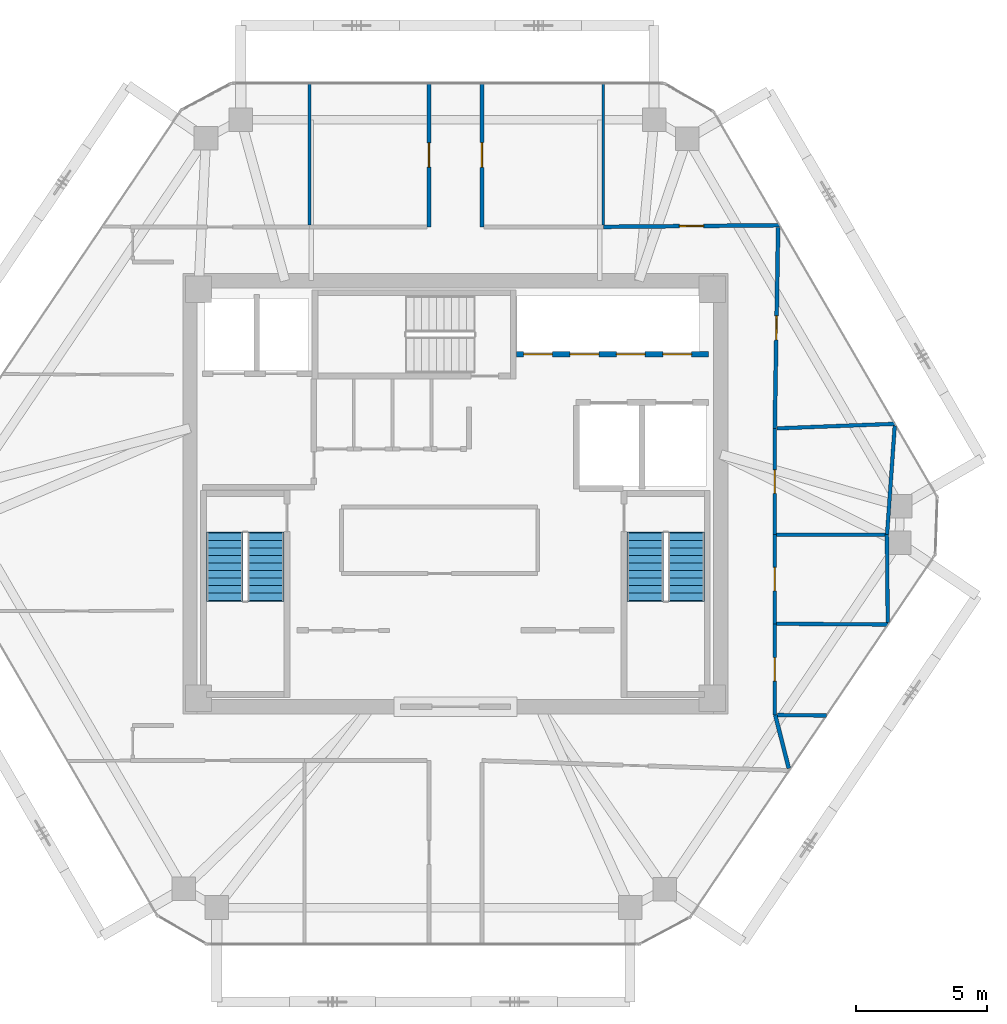
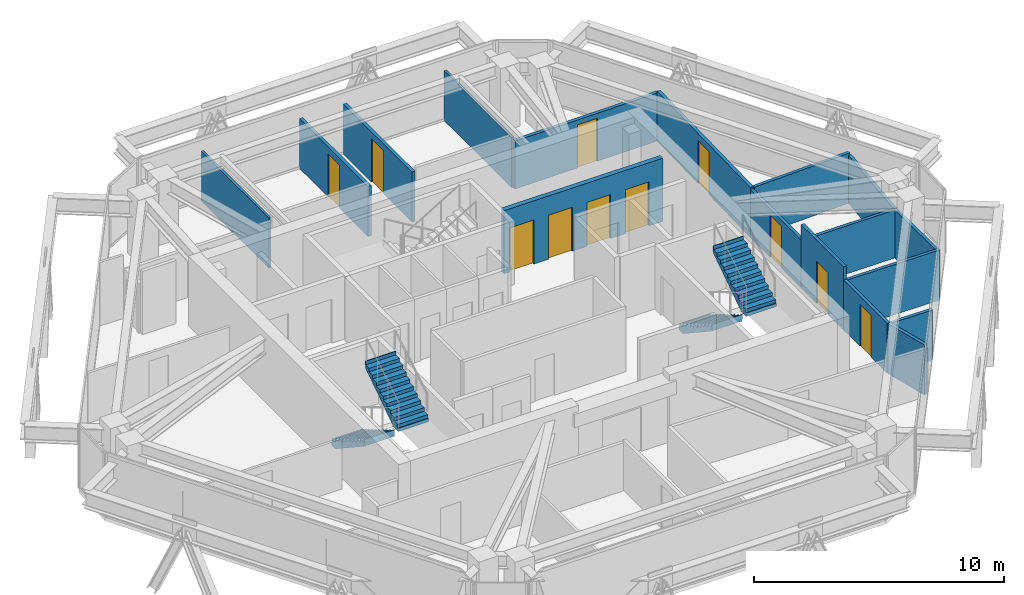
# One storey, part 12 of 14: 17 walls, 11 doors, 4 stair flights, 11 openings, 2 elements without a shape of their own.
"""IFC4 building model written with IfcOpenShell, lengths in metres."""

from ifc_helpers import new_model, si_unit, direction, frame, frame_2d, origin, place, context, subcontext, project, spatial, polyline, rectangle, outline, extrude, source, transform, mapped, material, layer, layer_set, type_object, type_shapes, element, fill, aggregate, save


model = new_model("IFC4")

# Units and contexts
model_context = context("Model", 3, precision=1e-05, world=origin(), true_north=direction((0.0, 1.0)))
body_context = subcontext(model_context, "Body", "Model", "MODEL_VIEW")
ifc_project = project(units=[si_unit("LENGTHUNIT", "METRE"), si_unit("AREAUNIT", "SQUARE_METRE"), si_unit("VOLUMEUNIT", "CUBIC_METRE"), si_unit("PLANEANGLEUNIT", "RADIAN"), si_unit("MASSUNIT", "GRAM", prefix="KILO")], contexts=[model_context])

# Site, building, storey
site_placement = place(None, origin())
site = spatial("IfcSite", under=ifc_project, at=site_placement, CompositionType="ELEMENT")
building_placement = place(site_placement, origin())
building = spatial("IfcBuilding", under=site, at=building_placement, Name="Durnholm Broadcast Tower", CompositionType="ELEMENT")
storey_placement = place(building_placement, frame((0.0, 0.0, 261.5)))
storey = spatial("IfcBuildingStorey", under=building, at=storey_placement, Name="L73", CompositionType="ELEMENT", Elevation=261.5)

# Walls
ifc_material_1 = material(Name="Operable Acoustic Panel Partition", Category="aluminium")
ifc_layer_1 = layer(ifc_material_1, 0.110107421875)
ifc_layer_set_1 = layer_set([ifc_layer_1], Name="Operable Acoustic Panel Partition")
wall_type_1 = type_object("IfcWallType", Name="WALL-MOV-110", PredefinedType="MOVABLE", material=ifc_layer_set_1)
wall_1_placement = place(storey_placement, frame((-5.56005859375, 15.662109375, 0.0), z_axis=(0.0, 0.0, 1.0), x_axis=(0.0, -1.0, 0.0)))
element("IfcWall", 1, at=wall_1_placement, inside=storey, type_object=wall_type_1, Name="L73 room dividing partition 12.13", PredefinedType="MOVABLE", context=body_context, shape_type="SweptSolid", body=[
    extrude(rectangle(XDim=5.403076171875, YDim=0.110107421875, at=frame_2d((2.70166015625, 0.0))), origin(), (0.0, 0.0, 1.0), 2.438720703125),
])
wall_2_placement = place(storey_placement, frame((5.639892578125, 15.662109375, 0.0), z_axis=(0.0, 0.0, 1.0), x_axis=(0.0, -1.0, 0.0)))
element("IfcWall", 2, at=wall_2_placement, inside=storey, type_object=wall_type_1, Name="L73 room dividing partition 14.15", PredefinedType="MOVABLE", context=body_context, shape_type="SweptSolid", body=[
    extrude(rectangle(XDim=5.40234375, YDim=0.110107421875, at=frame_2d((2.701171875, 0.0))), origin(), (0.0, 0.0, 1.0), 2.438720703125),
])

# Wall, opening, door
ifc_material_2 = material(Name="Acoustic Gypsum Stud Partition", Category="concrete")
ifc_layer_2 = layer(ifc_material_2, 0.14990234375)
ifc_layer_set_2 = layer_set([ifc_layer_2], Name="Acoustic Gypsum Stud Partition")
wall_type_2 = type_object("IfcWallType", Name="WALL-PART-150", PredefinedType="PARTITIONING", material=ifc_layer_set_2)
wall_3_placement = place(storey_placement, frame((-1.010009765625, 15.662109375, 0.0), z_axis=(0.0, 0.0, 1.0), x_axis=(0.0, -1.0, 0.0)))
wall_3 = element("IfcWall", 3, at=wall_3_placement, inside=storey, type_object=wall_type_2, Name="L73 CEO Broadcast Lounge corridor partition", PredefinedType="PARTITIONING", context=body_context, shape_type="SweptSolid", body=[
    extrude(rectangle(XDim=5.482177734375, YDim=0.14990234375, at=frame_2d((2.7412109375, 0.0))), origin(), (0.0, 0.0, 1.0), 2.438720703125),
])
opening_1_placement = place(wall_3_placement, frame((2.281005859375, 0.0, 0.0)))
opening_1 = element("IfcOpeningElement", 4, at=opening_1_placement, cuts=wall_3, Name="Opening DR-92L", PredefinedType="OPENING", context=body_context, shape_type="SweptSolid", body=[
    extrude(rectangle(XDim=0.919921875, YDim=2.10009765625, at=frame_2d((0.4599609375, 1.050048828125))), frame((0.0, 0.0849609375, 0.0), z_axis=(0.0, -1.0, 0.0), x_axis=(1.0, 0.0, 0.0)), (0.0, 0.0, 1.0), 0.169921875),
])
ifc_material_3 = material(Name="Oak Veneer Office Door", Category="wood")
ifc_layer_3 = layer(ifc_material_3, 0.050048828125)
ifc_layer_set_3 = layer_set([ifc_layer_3], Name="Oak Veneer Office Door")
door_type_1 = type_object("IfcDoorType", Name="DOOR-RM-920L", OperationType="NOTDEFINED", PredefinedType="DOOR", material=ifc_layer_set_3)
shared_shape_1 = source(origin(), body_context, "Body", "SweptSolid", [
    extrude(rectangle(XDim=0.919921875, YDim=2.10009765625, at=frame_2d((0.4599609375, 1.050048828125))), frame((0.0, 0.02490234375, 0.0), z_axis=(0.0, -1.0, 0.0), x_axis=(1.0, 0.0, 0.0)), (0.0, 0.0, 1.0), 0.050048828125),
])
type_shapes(door_type_1, [shared_shape_1])
door_1_placement = place(opening_1_placement, origin())
door_1 = element("IfcDoor", 5, at=door_1_placement, inside=storey, type_object=door_type_1, Name="L73 CEO Broadcast Lounge entrance door", OperationType="SINGLE_SWING_LEFT", OverallHeight=2.10009765625, OverallWidth=0.919921875, PredefinedType="DOOR", context=body_context, shape_type="MappedRepresentation", body=[
    mapped(shared_shape_1, transform((0.0, 0.0, 0.0), x_axis=(1.0, 0.0, 0.0), y_axis=(0.0, 1.0, 0.0), z_axis=(0.0, 0.0, 1.0), scale=1.0)),
])
fill(opening_1, door_1)

wall_4_placement = place(storey_placement, frame((1.010009765625, 10.179931640625, 0.0), z_axis=(0.0, 0.0, 1.0), x_axis=(0.0, 1.0, 0.0)))
wall_4 = element("IfcWall", 6, at=wall_4_placement, inside=storey, type_object=wall_type_2, Name="L73 COO Editorial Dining Room corridor partition", PredefinedType="PARTITIONING", context=body_context, shape_type="SweptSolid", body=[
    extrude(rectangle(XDim=5.482177734375, YDim=0.14990234375, at=frame_2d((2.7412109375, 0.0))), origin(), (0.0, 0.0, 1.0), 2.438720703125),
])
opening_2_placement = place(wall_4_placement, frame((2.26611328125, 0.0, 0.0)))
opening_2 = element("IfcOpeningElement", 7, at=opening_2_placement, cuts=wall_4, Name="Opening DR-95R", PredefinedType="OPENING", context=body_context, shape_type="SweptSolid", body=[
    extrude(rectangle(XDim=0.949951171875, YDim=2.10009765625, at=frame_2d((0.47509765625, 1.050048828125))), frame((0.0, 0.0849609375, 0.0), z_axis=(0.0, -1.0, 0.0), x_axis=(1.0, 0.0, 0.0)), (0.0, 0.0, 1.0), 0.169921875),
])
ifc_material_4 = material(Name="Acoustic Oak Veneer Timber Door", Category="wood")
ifc_layer_4 = layer(ifc_material_4, 0.050048828125)
ifc_layer_set_4 = layer_set([ifc_layer_4], Name="Acoustic Oak Veneer Timber Door")
door_type_2 = type_object("IfcDoorType", Name="DOOR-RM-950R", OperationType="NOTDEFINED", PredefinedType="DOOR", material=ifc_layer_set_4)
shared_shape_2 = source(origin(), body_context, "Body", "SweptSolid", [
    extrude(rectangle(XDim=0.949951171875, YDim=2.10009765625, at=frame_2d((0.47509765625, 1.050048828125))), frame((0.0, 0.02490234375, 0.0), z_axis=(0.0, -1.0, 0.0), x_axis=(1.0, 0.0, 0.0)), (0.0, 0.0, 1.0), 0.050048828125),
])
type_shapes(door_type_2, [shared_shape_2])
door_2_placement = place(opening_2_placement, origin())
door_2 = element("IfcDoor", 8, at=door_2_placement, inside=storey, type_object=door_type_2, Name="L73 COO Editorial Dining Room entrance door", OperationType="SINGLE_SWING_RIGHT", OverallHeight=2.10009765625, OverallWidth=0.949951171875, PredefinedType="DOOR", context=body_context, shape_type="MappedRepresentation", body=[
    mapped(shared_shape_2, transform((0.0, 0.0, 0.0), x_axis=(1.0, 0.0, 0.0), y_axis=(0.0, 1.0, 0.0), z_axis=(0.0, 0.0, 1.0), scale=1.0)),
])
fill(opening_2, door_2)

wall_5_placement = place(storey_placement, frame((12.368408203125, 10.242919921875, 0.0), z_axis=(0.0, 0.0, 1.0), x_axis=(-0.999957198001, -0.009252143886, 0.0)))
wall_5 = element("IfcWall", 9, at=wall_5_placement, inside=storey, type_object=wall_type_2, Name="L73 Penthouse Press Concierge corridor partition", PredefinedType="PARTITIONING", context=body_context, shape_type="SweptSolid", body=[
    extrude(rectangle(XDim=6.728759765625, YDim=0.14990234375, at=frame_2d((3.3642578125, 0.0))), origin(), (0.0, 0.0, 1.0), 2.34130859375),
])
opening_3_placement = place(wall_5_placement, frame((2.904296875, 0.0, 0.0)))
opening_3 = element("IfcOpeningElement", 10, at=opening_3_placement, cuts=wall_5, Name="Opening DR-92L", PredefinedType="OPENING", context=body_context, shape_type="SweptSolid", body=[
    extrude(rectangle(XDim=0.919921875, YDim=2.10009765625, at=frame_2d((0.4599609375, 1.050048828125))), frame((0.0, 0.0849609375, 0.0), z_axis=(0.0, -1.0, 0.0), x_axis=(1.0, 0.0, 0.0)), (0.0, 0.0, 1.0), 0.169921875),
])
door_3_placement = place(opening_3_placement, origin())
door_3 = element("IfcDoor", 11, at=door_3_placement, inside=storey, type_object=door_type_1, Name="L73 Penthouse Press Concierge entrance door", OperationType="SINGLE_SWING_LEFT", OverallHeight=2.10009765625, OverallWidth=0.919921875, PredefinedType="DOOR", context=body_context, shape_type="MappedRepresentation", body=[
    mapped(shared_shape_1, transform((0.0, 0.0, 0.0), x_axis=(1.0, 0.0, 0.0), y_axis=(0.0, 1.0, 0.0), z_axis=(0.0, 0.0, 1.0), scale=1.0)),
])
fill(opening_3, door_3)

# Wall
wall_6_placement = place(storey_placement, frame((12.718505859375, -10.47802734375, 0.0), z_axis=(0.0, 0.0, 1.0), x_axis=(-0.246467162934, 0.969151142803, 0.0)))
element("IfcWall", 12, at=wall_6_placement, inside=storey, type_object=wall_type_2, Name="L73 Executive Butler Kitchen corridor partition", PredefinedType="PARTITIONING", context=body_context, shape_type="SweptSolid", body=[
    extrude(rectangle(XDim=2.10302734375, YDim=0.14990234375, at=frame_2d((1.051513671875, 0.0))), origin(), (0.0, 0.0, 1.0), 2.438720703125),
])

# Wall, opening, door
wall_7_placement = place(storey_placement, frame((12.181396484375, 2.489990234375, 0.0), z_axis=(0.0, 0.0, 1.0), x_axis=(0.016828669653, 0.999858387912, 0.0)))
wall_7 = element("IfcWall", 13, at=wall_7_placement, inside=storey, type_object=wall_type_2, Name="L73 Penthouse Press Concierge corridor partition", PredefinedType="PARTITIONING", context=body_context, shape_type="SweptSolid", body=[
    extrude(rectangle(XDim=7.67431640625, YDim=0.14990234375, at=frame_2d((3.837158203125, 0.0))), origin(), (0.0, 0.0, 1.0), 2.438720703125),
])
opening_4_placement = place(wall_7_placement, frame((3.377197265625, 0.0, 0.0)))
opening_4 = element("IfcOpeningElement", 14, at=opening_4_placement, cuts=wall_7, Name="Opening DR-92L", PredefinedType="OPENING", context=body_context, shape_type="SweptSolid", body=[
    extrude(rectangle(XDim=0.919921875, YDim=2.10009765625, at=frame_2d((0.4599609375, 1.050048828125))), frame((0.0, 0.0849609375, 0.0), z_axis=(0.0, -1.0, 0.0), x_axis=(1.0, 0.0, 0.0)), (0.0, 0.0, 1.0), 0.169921875),
])
door_4_placement = place(opening_4_placement, origin())
door_4 = element("IfcDoor", 15, at=door_4_placement, inside=storey, type_object=door_type_1, Name="L73 Penthouse Press Concierge entrance door", OperationType="SINGLE_SWING_LEFT", OverallHeight=2.10009765625, OverallWidth=0.919921875, PredefinedType="DOOR", context=body_context, shape_type="MappedRepresentation", body=[
    mapped(shared_shape_1, transform((0.0, 0.0, 0.0), x_axis=(1.0, 0.0, 0.0), y_axis=(0.0, 1.0, 0.0), z_axis=(0.0, 0.0, 1.0), scale=1.0)),
])
fill(opening_4, door_4)

# Wall, openings, doors
ifc_material_5 = material(Name="Concrete Blockwork C30/37", Category="masonry")
ifc_layer_5 = layer(ifc_material_5, 0.219970703125)
ifc_layer_set_5 = layer_set([ifc_layer_5], Name="Concrete Blockwork C30/37")
wall_type_3 = type_object("IfcWallType", Name="WALL-SHAFT-220", PredefinedType="SOLIDWALL", material=ifc_layer_set_5)
wall_8_placement = place(storey_placement, frame((2.324951171875, 5.320068359375, 0.0), z_axis=(0.0, 0.0, 1.0), x_axis=(1.0, 0.0, 0.0)))
wall_8 = element("IfcWall", 16, at=wall_8_placement, inside=storey, type_object=wall_type_3, Name="L73 high-rise bank P3 south front wall", PredefinedType="SOLIDWALL", context=body_context, shape_type="SweptSolid", body=[
    extrude(rectangle(XDim=7.324951171875, YDim=0.219970703125, at=frame_2d((3.66259765625, 0.0))), origin(), (0.0, 0.0, 1.0), 3.0849609375),
])
opening_5_placement = place(wall_8_placement, frame((0.27490234375, 0.0, 0.0)))
opening_5 = element("IfcOpeningElement", 17, at=opening_5_placement, cuts=wall_8, Name="Opening LD-LP3-1", PredefinedType="OPENING", context=body_context, shape_type="SweptSolid", body=[
    extrude(rectangle(XDim=1.10009765625, YDim=2.14990234375, at=frame_2d((0.550048828125, 1.074951171875))), frame((0.0, 0.1201171875, 0.0), z_axis=(0.0, -1.0, 0.0), x_axis=(1.0, 0.0, 0.0)), (0.0, 0.0, 1.0), 0.239990234375),
])
opening_6_placement = place(wall_8_placement, frame((2.044921875, 0.0, 0.0)))
opening_6 = element("IfcOpeningElement", 18, at=opening_6_placement, cuts=wall_8, Name="Opening LD-LP3-2", PredefinedType="OPENING", context=body_context, shape_type="SweptSolid", body=[
    extrude(rectangle(XDim=1.10009765625, YDim=2.14990234375, at=frame_2d((0.550048828125, 1.074951171875))), frame((0.0, 0.1201171875, 0.0), z_axis=(0.0, -1.0, 0.0), x_axis=(1.0, 0.0, 0.0)), (0.0, 0.0, 1.0), 0.239990234375),
])
opening_7_placement = place(wall_8_placement, frame((3.81494140625, 0.0, 0.0)))
opening_7 = element("IfcOpeningElement", 19, at=opening_7_placement, cuts=wall_8, Name="Opening LD-LP3-3", PredefinedType="OPENING", context=body_context, shape_type="SweptSolid", body=[
    extrude(rectangle(XDim=1.10009765625, YDim=2.14990234375, at=frame_2d((0.550048828125, 1.074951171875))), frame((0.0, 0.1201171875, 0.0), z_axis=(0.0, -1.0, 0.0), x_axis=(1.0, 0.0, 0.0)), (0.0, 0.0, 1.0), 0.239990234375),
])
opening_8_placement = place(wall_8_placement, frame((5.5849609375, 0.0, 0.0)))
opening_8 = element("IfcOpeningElement", 20, at=opening_8_placement, cuts=wall_8, Name="Opening LD-LP3-4", PredefinedType="OPENING", context=body_context, shape_type="SweptSolid", body=[
    extrude(rectangle(XDim=1.10009765625, YDim=2.14990234375, at=frame_2d((0.550048828125, 1.074951171875))), frame((0.0, 0.1201171875, 0.0), z_axis=(0.0, -1.0, 0.0), x_axis=(1.0, 0.0, 0.0)), (0.0, 0.0, 1.0), 0.239990234375),
])
ifc_material_6 = material(Name="Stainless Steel Sliding Elevator Landing Door", Category="steel")
ifc_layer_6 = layer(ifc_material_6, 0.050048828125)
ifc_layer_set_6 = layer_set([ifc_layer_6], Name="Stainless Steel Sliding Elevator Landing Door")
door_type_3 = type_object("IfcDoorType", Name="DOOR-LIFT-PAX", OperationType="DOUBLE_DOOR_SLIDING", PredefinedType="DOOR", material=ifc_layer_set_6)
shared_shape_3 = source(origin(), body_context, "Body", "SweptSolid", [
    extrude(rectangle(XDim=1.10009765625, YDim=2.14990234375, at=frame_2d((0.550048828125, 1.074951171875))), frame((0.0, 0.02490234375, 0.0), z_axis=(0.0, -1.0, 0.0), x_axis=(1.0, 0.0, 0.0)), (0.0, 0.0, 1.0), 0.050048828125),
])
type_shapes(door_type_3, [shared_shape_3])
door_5_placement = place(opening_5_placement, origin())
door_5 = element("IfcDoor", 21, at=door_5_placement, inside=storey, type_object=door_type_3, Name="L73 high-rise elevator LP3-1 sliding landing door", OperationType="DOUBLE_DOOR_SLIDING", OverallHeight=2.14990234375, OverallWidth=1.10009765625, PredefinedType="DOOR", context=body_context, shape_type="MappedRepresentation", body=[
    mapped(shared_shape_3, transform((0.0, 0.0, 0.0), x_axis=(1.0, 0.0, 0.0), y_axis=(0.0, 1.0, 0.0), z_axis=(0.0, 0.0, 1.0), scale=1.0)),
])
fill(opening_5, door_5)
door_6_placement = place(opening_6_placement, origin())
door_6 = element("IfcDoor", 22, at=door_6_placement, inside=storey, type_object=door_type_3, Name="L73 high-rise elevator LP3-2 sliding landing door", OperationType="DOUBLE_DOOR_SLIDING", OverallHeight=2.14990234375, OverallWidth=1.10009765625, PredefinedType="DOOR", context=body_context, shape_type="MappedRepresentation", body=[
    mapped(shared_shape_3, transform((0.0, 0.0, 0.0), x_axis=(1.0, 0.0, 0.0), y_axis=(0.0, 1.0, 0.0), z_axis=(0.0, 0.0, 1.0), scale=1.0)),
])
fill(opening_6, door_6)
door_7_placement = place(opening_7_placement, origin())
door_7 = element("IfcDoor", 23, at=door_7_placement, inside=storey, type_object=door_type_3, Name="L73 high-rise elevator LP3-3 sliding landing door", OperationType="DOUBLE_DOOR_SLIDING", OverallHeight=2.14990234375, OverallWidth=1.10009765625, PredefinedType="DOOR", context=body_context, shape_type="MappedRepresentation", body=[
    mapped(shared_shape_3, transform((0.0, 0.0, 0.0), x_axis=(1.0, 0.0, 0.0), y_axis=(0.0, 1.0, 0.0), z_axis=(0.0, 0.0, 1.0), scale=1.0)),
])
fill(opening_7, door_7)
door_8_placement = place(opening_8_placement, origin())
door_8 = element("IfcDoor", 24, at=door_8_placement, inside=storey, type_object=door_type_3, Name="L73 high-rise elevator LP3-4 sliding landing door", OperationType="DOUBLE_DOOR_SLIDING", OverallHeight=2.14990234375, OverallWidth=1.10009765625, PredefinedType="DOOR", context=body_context, shape_type="MappedRepresentation", body=[
    mapped(shared_shape_3, transform((0.0, 0.0, 0.0), x_axis=(1.0, 0.0, 0.0), y_axis=(0.0, 1.0, 0.0), z_axis=(0.0, 0.0, 1.0), scale=1.0)),
])
fill(opening_8, door_8)

# Wall, opening, door
ifc_material_7 = material(Name="Moisture-Resistant Tile Partition", Category="concrete")
ifc_layer_7 = layer(ifc_material_7, 0.139892578125)
ifc_layer_set_7 = layer_set([ifc_layer_7], Name="Moisture-Resistant Tile Partition")
wall_type_4 = type_object("IfcWallType", Name="WALL-WC-140", PredefinedType="PARTITIONING", material=ifc_layer_set_7)
wall_9_placement = place(storey_placement, frame((12.179931640625, -8.43994140625, 0.0), z_axis=(0.0, 0.0, 1.0), x_axis=(0.0, 1.0, 0.0)))
wall_9 = element("IfcWall", 25, at=wall_9_placement, inside=storey, type_object=wall_type_4, Name="L73 Men's Restroom corridor partition", PredefinedType="PARTITIONING", context=body_context, shape_type="SweptSolid", body=[
    extrude(rectangle(XDim=3.47998046875, YDim=0.139892578125, at=frame_2d((1.739990234375, 0.0))), origin(), (0.0, 0.0, 1.0), 2.438720703125),
])
opening_9_placement = place(wall_9_placement, frame((1.2900390625, 0.0, 0.0)))
opening_9 = element("IfcOpeningElement", 26, at=opening_9_placement, cuts=wall_9, Name="Opening DW-90L", PredefinedType="OPENING", context=body_context, shape_type="SweptSolid", body=[
    extrude(rectangle(XDim=0.89990234375, YDim=2.050048828125, at=frame_2d((0.449951171875, 1.02490234375))), frame((0.0, 0.080078125, 0.0), z_axis=(0.0, -1.0, 0.0), x_axis=(1.0, 0.0, 0.0)), (0.0, 0.0, 1.0), 0.159912109375),
])
ifc_material_8 = material(Name="Laminate Restroom Door", Category="steel")
ifc_layer_8 = layer(ifc_material_8, 0.050048828125)
ifc_layer_set_8 = layer_set([ifc_layer_8], Name="Laminate Restroom Door")
door_type_4 = type_object("IfcDoorType", Name="DOOR-WC-900L", OperationType="NOTDEFINED", PredefinedType="DOOR", material=ifc_layer_set_8)
shared_shape_4 = source(origin(), body_context, "Body", "SweptSolid", [
    extrude(rectangle(XDim=0.89990234375, YDim=2.050048828125, at=frame_2d((0.449951171875, 1.02490234375))), frame((0.0, 0.02490234375, 0.0), z_axis=(0.0, -1.0, 0.0), x_axis=(1.0, 0.0, 0.0)), (0.0, 0.0, 1.0), 0.050048828125),
])
type_shapes(door_type_4, [shared_shape_4])
door_9_placement = place(opening_9_placement, origin())
door_9 = element("IfcDoor", 27, at=door_9_placement, inside=storey, type_object=door_type_4, Name="L73 Men's Restroom entrance door", OperationType="SINGLE_SWING_LEFT", OverallHeight=2.050048828125, OverallWidth=0.89990234375, PredefinedType="DOOR", context=body_context, shape_type="MappedRepresentation", body=[
    mapped(shared_shape_4, transform((0.0, 0.0, 0.0), x_axis=(1.0, 0.0, 0.0), y_axis=(0.0, 1.0, 0.0), z_axis=(0.0, 0.0, 1.0), scale=1.0)),
])
fill(opening_9, door_9)

wall_10_placement = place(storey_placement, frame((12.179931640625, -4.9599609375, 0.0), z_axis=(0.0, 0.0, 1.0), x_axis=(0.0, 1.0, 0.0)))
wall_10 = element("IfcWall", 28, at=wall_10_placement, inside=storey, type_object=wall_type_4, Name="L73 Women's Restroom corridor partition", PredefinedType="PARTITIONING", context=body_context, shape_type="SweptSolid", body=[
    extrude(rectangle(XDim=3.39990234375, YDim=0.139892578125, at=frame_2d((1.699951171875, 0.0))), origin(), (0.0, 0.0, 1.0), 3.0849609375),
])
opening_10_placement = place(wall_10_placement, frame((1.25, 0.0, 0.0)))
opening_10 = element("IfcOpeningElement", 29, at=opening_10_placement, cuts=wall_10, Name="Opening DW-90R", PredefinedType="OPENING", context=body_context, shape_type="SweptSolid", body=[
    extrude(rectangle(XDim=0.89990234375, YDim=2.050048828125, at=frame_2d((0.449951171875, 1.02490234375))), frame((0.0, 0.080078125, 0.0), z_axis=(0.0, -1.0, 0.0), x_axis=(1.0, 0.0, 0.0)), (0.0, 0.0, 1.0), 0.159912109375),
])
ifc_layer_9 = layer(ifc_material_8, 0.050048828125)
ifc_layer_set_9 = layer_set([ifc_layer_9], Name="Laminate Restroom Door")
door_type_5 = type_object("IfcDoorType", Name="DOOR-WC-900R", OperationType="NOTDEFINED", PredefinedType="DOOR", material=ifc_layer_set_9)
shared_shape_5 = source(origin(), body_context, "Body", "SweptSolid", [
    extrude(rectangle(XDim=0.89990234375, YDim=2.050048828125, at=frame_2d((0.449951171875, 1.02490234375))), frame((0.0, 0.02490234375, 0.0), z_axis=(0.0, -1.0, 0.0), x_axis=(1.0, 0.0, 0.0)), (0.0, 0.0, 1.0), 0.050048828125),
])
type_shapes(door_type_5, [shared_shape_5])
door_10_placement = place(opening_10_placement, origin())
door_10 = element("IfcDoor", 30, at=door_10_placement, inside=storey, type_object=door_type_5, Name="L73 Women's Restroom entrance door", OperationType="SINGLE_SWING_RIGHT", OverallHeight=2.050048828125, OverallWidth=0.89990234375, PredefinedType="DOOR", context=body_context, shape_type="MappedRepresentation", body=[
    mapped(shared_shape_5, transform((0.0, 0.0, 0.0), x_axis=(1.0, 0.0, 0.0), y_axis=(0.0, 1.0, 0.0), z_axis=(0.0, 0.0, 1.0), scale=1.0)),
])
fill(opening_10, door_10)

wall_11_placement = place(storey_placement, frame((12.179931640625, -1.56005859375, 0.0), z_axis=(0.0, 0.0, 1.0), x_axis=(0.0, 1.0, 0.0)))
wall_11 = element("IfcWall", 31, at=wall_11_placement, inside=storey, type_object=wall_type_4, Name="L73 Accessible Restroom corridor partition", PredefinedType="PARTITIONING", context=body_context, shape_type="SweptSolid", body=[
    extrude(rectangle(XDim=4.050048828125, YDim=0.139892578125, at=frame_2d((2.02490234375, 0.0))), origin(), (0.0, 0.0, 1.0), 2.34130859375),
])
opening_11_placement = place(wall_11_placement, frame((1.574951171875, 0.0, 0.0)))
opening_11 = element("IfcOpeningElement", 32, at=opening_11_placement, cuts=wall_11, Name="Opening DW-90L", PredefinedType="OPENING", context=body_context, shape_type="SweptSolid", body=[
    extrude(rectangle(XDim=0.89990234375, YDim=2.050048828125, at=frame_2d((0.449951171875, 1.02490234375))), frame((0.0, 0.080078125, 0.0), z_axis=(0.0, -1.0, 0.0), x_axis=(1.0, 0.0, 0.0)), (0.0, 0.0, 1.0), 0.159912109375),
])
door_11_placement = place(opening_11_placement, origin())
door_11 = element("IfcDoor", 33, at=door_11_placement, inside=storey, type_object=door_type_4, Name="L73 Accessible Restroom entrance door", OperationType="SINGLE_SWING_LEFT", OverallHeight=2.050048828125, OverallWidth=0.89990234375, PredefinedType="DOOR", context=body_context, shape_type="MappedRepresentation", body=[
    mapped(shared_shape_4, transform((0.0, 0.0, 0.0), x_axis=(1.0, 0.0, 0.0), y_axis=(0.0, 1.0, 0.0), z_axis=(0.0, 0.0, 1.0), scale=1.0)),
])
fill(opening_11, door_11)

# Walls
wall_12_placement = place(storey_placement, frame((12.25390625, -4.96044921875, 0.0), z_axis=(0.0, 0.0, 1.0), x_axis=(0.999976630429, -0.006836563198, 0.0)))
element("IfcWall", 34, at=wall_12_placement, inside=storey, type_object=wall_type_4, Name="L73 room dividing partition 9.10", PredefinedType="PARTITIONING", context=body_context, shape_type="SweptSolid", body=[
    extrude(rectangle(XDim=4.24951171875, YDim=0.139892578125, at=frame_2d((2.124755859375, 0.0))), origin(), (0.0, 0.0, 1.0), 2.438720703125),
])
wall_13_placement = place(storey_placement, frame((14.155517578125, -8.46240234375, 0.0), z_axis=(0.0, 0.0, 1.0), x_axis=(-0.999935742613, 0.011336253532, 0.0)))
element("IfcWall", 35, at=wall_13_placement, inside=storey, type_object=wall_type_4, Name="L73 room dividing partition 9.18", PredefinedType="PARTITIONING", context=body_context, shape_type="SweptSolid", body=[
    extrude(rectangle(XDim=1.87353515625, YDim=0.139892578125, at=frame_2d((0.936767578125, 0.0))), origin(), (0.0, 0.0, 1.0), 2.438720703125),
])
wall_14_placement = place(storey_placement, frame((12.25390625, -1.56005859375, 0.0), z_axis=(0.0, 0.0, 1.0), x_axis=(1.0, 0.0, 0.0)))
element("IfcWall", 36, at=wall_14_placement, inside=storey, type_object=wall_type_4, Name="L73 room dividing partition 10.11", PredefinedType="PARTITIONING", context=body_context, shape_type="SweptSolid", body=[
    extrude(rectangle(XDim=4.2060546875, YDim=0.139892578125, at=frame_2d((2.10302734375, 0.0))), origin(), (0.0, 0.0, 1.0), 2.34130859375),
])
wall_15_placement = place(storey_placement, frame((16.4599609375, -1.56005859375, 0.0), z_axis=(0.0, 0.0, 1.0), x_axis=(0.009604446748, -0.999953876238, 0.0)))
element("IfcWall", 37, at=wall_15_placement, inside=storey, type_object=wall_type_4, Name="L73 room dividing partition 10.23", PredefinedType="PARTITIONING", context=body_context, shape_type="SweptSolid", body=[
    extrude(rectangle(XDim=3.35546875, YDim=0.139892578125, at=frame_2d((1.677734375, 0.0))), origin(), (0.0, 0.0, 1.0), 2.34130859375),
])
wall_16_placement = place(storey_placement, frame((12.260498046875, 2.4931640625, 0.0), z_axis=(0.0, 0.0, 1.0), x_axis=(0.999256206289, 0.038562082324, 0.0)))
element("IfcWall", 38, at=wall_16_placement, inside=storey, type_object=wall_type_4, Name="L73 room dividing partition 11.23", PredefinedType="PARTITIONING", context=body_context, shape_type="SweptSolid", body=[
    extrude(rectangle(XDim=4.5078125, YDim=0.139892578125, at=frame_2d((2.25390625, 0.0))), origin(), (0.0, 0.0, 1.0), 2.438720703125),
])
wall_17_placement = place(storey_placement, frame((16.759521484375, 2.5927734375, 0.0), z_axis=(0.0, 0.0, 1.0), x_axis=(-0.07055102187, -0.997508172053, 0.0)))
element("IfcWall", 39, at=wall_17_placement, inside=storey, type_object=wall_type_4, Name="L73 room dividing partition 11.23", PredefinedType="PARTITIONING", context=body_context, shape_type="SweptSolid", body=[
    extrude(rectangle(XDim=4.162841796875, YDim=0.139892578125, at=frame_2d((2.08154296875, 0.0))), origin(), (0.0, 0.0, 1.0), 2.34130859375),
])

# Stair, stair flights
ifc_material_9 = material(Name="Concrete C50/60", Category="concrete")
stair_type = type_object("IfcStairType", Name="STAIR-DL-20R1700", PredefinedType="HALF_TURN_STAIR", material=ifc_material_9)
stair_1_placement = place(storey_placement, origin())
stair_1 = element("IfcStair", 40, at=stair_1_placement, inside=storey, type_object=stair_type, Name="L73 ST-1", PredefinedType="HALF_TURN_STAIR")
stair_flight_type = type_object("IfcStairFlightType", Name="FLIGHT-DL-20R1700", PredefinedType="STRAIGHT", material=ifc_material_9)
stair_flight_1_placement = place(storey_placement, frame((-8.800048828125, -1.5, 0.0), z_axis=(0.0, 0.0, 1.0), x_axis=(0.0, -1.0, 0.0)))
stair_flight_1 = element("IfcStairFlight", 41, at=stair_flight_1_placement, type_object=stair_flight_type, Name="ST-1 flight 1", NumberOfRisers=10, NumberOfTreads=9, PredefinedType="STRAIGHT", RiserHeight=0.17, TreadLength=0.285, context=body_context, shape_type="SweptSolid", body=[
    extrude(outline(polyline([(-0.0400390625, -0.14990234375), (-0.0400390625, 0.0), (0.0, 0.0), (0.0, 0.169921875), (0.284912109375, 0.169921875), (0.284912109375, 0.340087890625), (0.570068359375, 0.340087890625), (0.570068359375, 0.510009765625), (0.85498046875, 0.510009765625), (0.85498046875, 0.679931640625), (1.139892578125, 0.679931640625), (1.139892578125, 0.85009765625), (1.425048828125, 0.85009765625), (1.425048828125, 1.02001953125), (1.7099609375, 1.02001953125), (1.7099609375, 1.18994140625), (1.9951171875, 1.18994140625), (1.9951171875, 1.360107421875), (2.280029296875, 1.360107421875), (2.280029296875, 1.530029296875), (2.56494140625, 1.530029296875), (2.56494140625, 1.699951171875), (2.60498046875, 1.699951171875), (2.60498046875, 1.550048828125), (2.56494140625, 1.35546875), (0.292724609375, -0.14990234375), (-0.0400390625, -0.14990234375)])), frame((0.0, 0.699951171875, 0.0), z_axis=(0.0, -1.0, 0.0), x_axis=(1.0, 0.0, 0.0)), (0.0, 0.0, 1.0), 1.39990234375),
])
stair_flight_2_placement = place(storey_placement, frame((-7.239990234375, -4.06494140625, 1.699951171875), z_axis=(0.0, 0.0, 1.0), x_axis=(0.0, 1.0, 0.0)))
stair_flight_2 = element("IfcStairFlight", 42, at=stair_flight_2_placement, type_object=stair_flight_type, Name="ST-1 flight 2", NumberOfRisers=10, NumberOfTreads=9, PredefinedType="STRAIGHT", RiserHeight=0.17, TreadLength=0.285, context=body_context, shape_type="SweptSolid", body=[
    extrude(outline(polyline([(-0.0400390625, -0.14990234375), (-0.0400390625, 0.0), (0.0, 0.0), (0.0, 0.169921875), (0.284912109375, 0.169921875), (0.284912109375, 0.340087890625), (0.570068359375, 0.340087890625), (0.570068359375, 0.510009765625), (0.85498046875, 0.510009765625), (0.85498046875, 0.679931640625), (1.139892578125, 0.679931640625), (1.139892578125, 0.85009765625), (1.425048828125, 0.85009765625), (1.425048828125, 1.02001953125), (1.7099609375, 1.02001953125), (1.7099609375, 1.18994140625), (1.9951171875, 1.18994140625), (1.9951171875, 1.360107421875), (2.280029296875, 1.360107421875), (2.280029296875, 1.530029296875), (2.56494140625, 1.530029296875), (2.56494140625, 1.699951171875), (2.60498046875, 1.699951171875), (2.60498046875, 1.550048828125), (2.56494140625, 1.35546875), (0.292724609375, -0.14990234375), (-0.0400390625, -0.14990234375)])), frame((0.0, 0.699951171875, 0.0), z_axis=(0.0, -1.0, 0.0), x_axis=(1.0, 0.0, 0.0)), (0.0, 0.0, 1.0), 1.39990234375),
])
aggregate(stair_1, [stair_flight_1, stair_flight_2])

stair_2_placement = place(storey_placement, origin())
stair_2 = element("IfcStair", 43, at=stair_2_placement, inside=storey, type_object=stair_type, Name="L73 ST-2", PredefinedType="HALF_TURN_STAIR")
stair_flight_3_placement = place(storey_placement, frame((7.239990234375, -1.5, 0.0), z_axis=(0.0, 0.0, 1.0), x_axis=(0.0, -1.0, 0.0)))
stair_flight_3 = element("IfcStairFlight", 44, at=stair_flight_3_placement, type_object=stair_flight_type, Name="ST-2 flight 1", NumberOfRisers=10, NumberOfTreads=9, PredefinedType="STRAIGHT", RiserHeight=0.17, TreadLength=0.285, context=body_context, shape_type="SweptSolid", body=[
    extrude(outline(polyline([(-0.0400390625, -0.14990234375), (-0.0400390625, 0.0), (0.0, 0.0), (0.0, 0.169921875), (0.284912109375, 0.169921875), (0.284912109375, 0.340087890625), (0.570068359375, 0.340087890625), (0.570068359375, 0.510009765625), (0.85498046875, 0.510009765625), (0.85498046875, 0.679931640625), (1.139892578125, 0.679931640625), (1.139892578125, 0.85009765625), (1.425048828125, 0.85009765625), (1.425048828125, 1.02001953125), (1.7099609375, 1.02001953125), (1.7099609375, 1.18994140625), (1.9951171875, 1.18994140625), (1.9951171875, 1.360107421875), (2.280029296875, 1.360107421875), (2.280029296875, 1.530029296875), (2.56494140625, 1.530029296875), (2.56494140625, 1.699951171875), (2.60498046875, 1.699951171875), (2.60498046875, 1.550048828125), (2.56494140625, 1.35546875), (0.292724609375, -0.14990234375), (-0.0400390625, -0.14990234375)])), frame((0.0, 0.699951171875, 0.0), z_axis=(0.0, -1.0, 0.0), x_axis=(1.0, 0.0, 0.0)), (0.0, 0.0, 1.0), 1.39990234375),
])
stair_flight_4_placement = place(storey_placement, frame((8.800048828125, -4.06494140625, 1.699951171875), z_axis=(0.0, 0.0, 1.0), x_axis=(0.0, 1.0, 0.0)))
stair_flight_4 = element("IfcStairFlight", 45, at=stair_flight_4_placement, type_object=stair_flight_type, Name="ST-2 flight 2", NumberOfRisers=10, NumberOfTreads=9, PredefinedType="STRAIGHT", RiserHeight=0.17, TreadLength=0.285, context=body_context, shape_type="SweptSolid", body=[
    extrude(outline(polyline([(-0.0400390625, -0.14990234375), (-0.0400390625, 0.0), (0.0, 0.0), (0.0, 0.169921875), (0.284912109375, 0.169921875), (0.284912109375, 0.340087890625), (0.570068359375, 0.340087890625), (0.570068359375, 0.510009765625), (0.85498046875, 0.510009765625), (0.85498046875, 0.679931640625), (1.139892578125, 0.679931640625), (1.139892578125, 0.85009765625), (1.425048828125, 0.85009765625), (1.425048828125, 1.02001953125), (1.7099609375, 1.02001953125), (1.7099609375, 1.18994140625), (1.9951171875, 1.18994140625), (1.9951171875, 1.360107421875), (2.280029296875, 1.360107421875), (2.280029296875, 1.530029296875), (2.56494140625, 1.530029296875), (2.56494140625, 1.699951171875), (2.60498046875, 1.699951171875), (2.60498046875, 1.550048828125), (2.56494140625, 1.35546875), (0.292724609375, -0.14990234375), (-0.0400390625, -0.14990234375)])), frame((0.0, 0.699951171875, 0.0), z_axis=(0.0, -1.0, 0.0), x_axis=(1.0, 0.0, 0.0)), (0.0, 0.0, 1.0), 1.39990234375),
])
aggregate(stair_2, [stair_flight_3, stair_flight_4])

save(model, "model.ifc")
